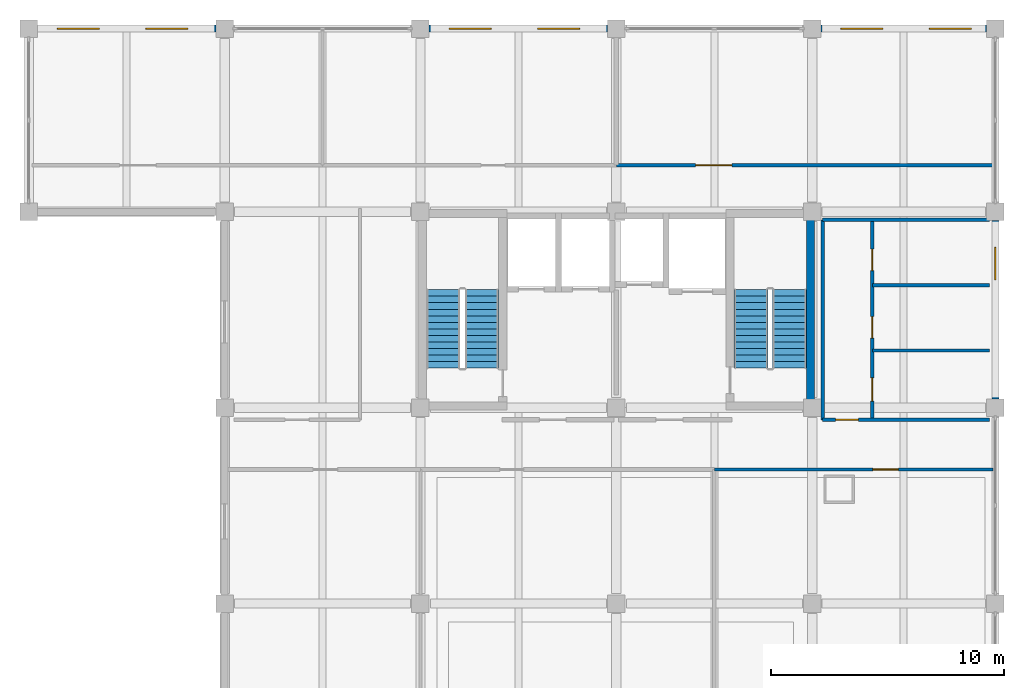
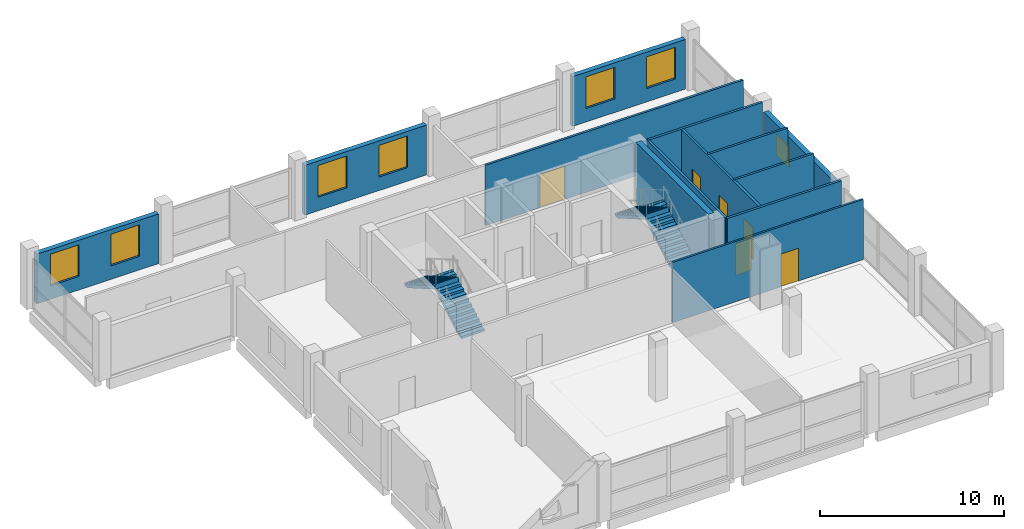
# One storey, part 8 of 9: 13 walls, 7 windows, 6 doors, 4 stair flights, 13 openings, 2 elements without a shape of their own.
"""IFC4 building model written with IfcOpenShell, lengths in metres."""

import ifcopenshell
import ifcopenshell.guid

model = None  # the IFC model being written
_history = None  # IfcOwnerHistory: only IFC2X3 demands one
_inside = {}  # id of a spatial element -> (the spatial element, [elements in it])
_under = {}  # id of a project, library or spatial element -> (it, [spatial elements below it])
_declared = {}  # id of a project -> (the project, [libraries it declares])
_typed = {}  # id of a type object -> (the type object, [elements of that type])
_made_of = {}  # id of a material, layer set ... -> (it, [elements and type objects made of it])


def new_model(schema):
    """Start an empty IFC model of exactly this schema.

    Asked for "IFC4X3", IfcOpenShell would pick the latest addendum, in which some entities
    have other attributes; the version numbers below select the first issue.
    IFC2X3 requires an IfcOwnerHistory on every rooted entity: one is made here for all.
    """
    global model, _history
    if schema == "IFC4X3":
        model = ifcopenshell.file(schema_version=(4, 3, 0, 0))
    else:
        model = ifcopenshell.file(schema=schema)
    _inside.clear()
    _under.clear()
    _declared.clear()
    _typed.clear()
    _made_of.clear()
    _history = None
    if model.schema == "IFC2X3":
        org = make("IfcOrganization", Name="unknown")
        user = make(
            "IfcPersonAndOrganization",
            ThePerson=make("IfcPerson", FamilyName="unknown"),
            TheOrganization=org,
        )
        app = make(
            "IfcApplication",
            ApplicationDeveloper=org,
            Version="unknown",
            ApplicationFullName="unknown",
            ApplicationIdentifier="unknown",
        )
        _history = make(
            "IfcOwnerHistory",
            OwningUser=user,
            OwningApplication=app,
            ChangeAction="ADDED",
            CreationDate=0,
        )
    return model


def make(cls, **values):
    """One entity of the class cls with the attributes given. An attribute that is None is left unset."""
    return model.create_entity(
        cls, **{name: value for name, value in values.items() if value is not None}
    )


def rooted(cls, **values):
    """An entity with a GlobalId (a new one), such as an element, a storey or a relation."""
    return make(cls, GlobalId=ifcopenshell.guid.new(), OwnerHistory=_history, **values)


def si_unit(unit_type, name, prefix=None):
    """IfcSIUnit, for example si_unit("LENGTHUNIT", "METRE", prefix="MILLI")."""
    return make("IfcSIUnit", UnitType=unit_type, Prefix=prefix, Name=name)


def assignment(units):
    """IfcUnitAssignment: the units of a project."""
    return None if units is None else make("IfcUnitAssignment", Units=units)


def point(xyz):
    """IfcCartesianPoint."""
    return None if xyz is None else make("IfcCartesianPoint", Coordinates=xyz)


def direction(xyz):
    """IfcDirection."""
    return None if xyz is None else make("IfcDirection", DirectionRatios=xyz)


def frame(location, z_axis=None, x_axis=None):
    """IfcAxis2Placement3D, a coordinate frame: its origin and axes. An axis left out is left unset."""
    return make(
        "IfcAxis2Placement3D",
        Location=point(location),
        Axis=direction(z_axis),
        RefDirection=direction(x_axis),
    )


def frame_2d(location, x_axis=None):
    """IfcAxis2Placement2D, a coordinate frame in the plane: its origin and x axis."""
    return make(
        "IfcAxis2Placement2D", Location=point(location), RefDirection=direction(x_axis)
    )


def origin():
    """The frame at (0, 0, 0) with its axes left unset."""
    return frame((0.0, 0.0, 0.0))


def place(relative_to, where):
    """IfcLocalPlacement: puts the frame where relative to a parent placement (None: the world)."""
    return make(
        "IfcLocalPlacement", PlacementRelTo=relative_to, RelativePlacement=where
    )


def context(
    kind, dimensions, precision=None, world=None, true_north=None, identifier=None
):
    """IfcGeometricRepresentationContext, for example the 3D "Model" context."""
    return make(
        "IfcGeometricRepresentationContext",
        ContextIdentifier=identifier,
        ContextType=kind,
        CoordinateSpaceDimension=dimensions,
        Precision=precision,
        WorldCoordinateSystem=world,
        TrueNorth=true_north,
    )


def subcontext(parent, identifier, kind, view, scale=None):
    """IfcGeometricRepresentationSubContext, for example "Body" below "Model"."""
    return make(
        "IfcGeometricRepresentationSubContext",
        ContextIdentifier=identifier,
        ContextType=kind,
        ParentContext=parent,
        TargetScale=scale,
        TargetView=view,
    )


def project(units=None, contexts=None):
    """IfcProject with its units and contexts."""
    return rooted(
        "IfcProject",
        Name="project",
        RepresentationContexts=contexts,
        UnitsInContext=assignment(units),
    )


def spatial(cls, under=None, at=None, **own):
    """A site, building, storey or space (cls), placed at a placement, below another one or the project."""
    s = rooted(cls, ObjectPlacement=at, **own)
    if under is not None:
        _under.setdefault(under.id(), (under, []))[1].append(s)
    return s


def polyline(points):
    """IfcPolyline through the points."""
    return make("IfcPolyline", Points=[point(p) for p in points])


def profile(cls, at=None, kind="AREA", **sizes):
    """A parametric profile (cls). Its sizes go by their IFC names, for example OverallWidth=200.0."""
    return make(cls, ProfileType=kind, Position=at, **sizes)


def rectangle(**sizes):
    """IfcRectangleProfileDef."""
    return profile("IfcRectangleProfileDef", **sizes)


def outline(outer, holes=None, kind="AREA"):
    """IfcArbitraryClosedProfileDef: a profile drawn as a closed curve; with holes, ...WithVoids."""
    if holes is None:
        return make("IfcArbitraryClosedProfileDef", ProfileType=kind, OuterCurve=outer)
    return make(
        "IfcArbitraryProfileDefWithVoids",
        ProfileType=kind,
        OuterCurve=outer,
        InnerCurves=holes,
    )


def extrude(swept, where, along, depth):
    """IfcExtrudedAreaSolid: the profile swept, set in the frame where, extruded along a direction by depth."""
    return make(
        "IfcExtrudedAreaSolid",
        SweptArea=swept,
        Position=where,
        ExtrudedDirection=direction(along),
        Depth=depth,
    )


def shape(context_of_items, identifier, shape_type, items):
    """IfcShapeRepresentation: the items that make up one representation, for example the "Body"."""
    return make(
        "IfcShapeRepresentation",
        ContextOfItems=context_of_items,
        RepresentationIdentifier=identifier,
        RepresentationType=shape_type,
        Items=items,
    )


def material(Name=None, Category=None):
    """IfcMaterial."""
    return make("IfcMaterial", Name=Name, Category=Category)


def layer(
    of_material, thickness, ventilated=None, Name=None, Category=None, Priority=None
):
    """IfcMaterialLayer: one layer of a wall or slab, of a material (None: an air gap)."""
    return make(
        "IfcMaterialLayer",
        Material=of_material,
        LayerThickness=thickness,
        IsVentilated=ventilated,
        Name=Name,
        Category=Category,
        Priority=Priority,
    )


def layer_set(layers, Name=None):
    """IfcMaterialLayerSet."""
    return make("IfcMaterialLayerSet", MaterialLayers=layers, LayerSetName=Name)


def made_of(thing, what):
    """Note that an element or type object is made of a material, layer set ...; save() writes the relation."""
    if what is not None:
        _made_of.setdefault(what.id(), (what, []))[1].append(thing)
    return thing


def type_object(cls, material=None, **own):
    """A type object (cls), such as IfcWallType, which elements share."""
    return made_of(rooted(cls, **own), material)


def element(
    cls,
    number,
    at=None,
    inside=None,
    cuts=None,
    type_object=None,
    material=None,
    context=None,
    identifier="Body",
    shape_type=None,
    held_by="IfcProductDefinitionShape",
    body=None,
    shapes=None,
    **own,
):
    """One element of the class cls, such as IfcWall. Its Tag is "e" and its number.

    at: its placement. inside: the storey or other place that contains it. cuts: it is an
    opening in that element (IfcRelVoidsElement). A single representation is given by context,
    identifier, shape_type and body (its items); several are given by shapes. held_by: the class
    of the entity that holds the representations. save() writes the other relations.
    """
    e = rooted(cls, Tag="e%d" % number, ObjectPlacement=at, **own)
    if body is not None:
        shapes = [shape(context, identifier, shape_type, body)]
    if shapes is not None:
        e.Representation = make(held_by, Representations=shapes)
    if inside is not None:
        _inside.setdefault(inside.id(), (inside, []))[1].append(e)
    if cuts is not None:
        rooted(
            "IfcRelVoidsElement", RelatingBuildingElement=cuts, RelatedOpeningElement=e
        )
    if type_object is not None:
        _typed.setdefault(type_object.id(), (type_object, []))[1].append(e)
    return made_of(e, material)


def fill(opening, filler):
    """IfcRelFillsElement: the door or window that sits in an opening."""
    return rooted(
        "IfcRelFillsElement",
        RelatingOpeningElement=opening,
        RelatedBuildingElement=filler,
    )


def aggregate(whole, parts):
    """IfcRelAggregates: a whole, such as a stair, and the parts it consists of."""
    return rooted("IfcRelAggregates", RelatingObject=whole, RelatedObjects=parts)


def save(model, path):
    """Write the relations noted so far, then the file.

    IfcRelAggregates (storeys below a building ...), IfcRelContainedInSpatialStructure (elements
    in a storey), IfcRelDefinesByType, IfcRelAssociatesMaterial and IfcRelDeclares: one each for
    every whole, place, type object, material and project.
    """
    for whole, parts in _under.values():
        aggregate(whole, parts)
    for where, things in _inside.values():
        rooted(
            "IfcRelContainedInSpatialStructure",
            RelatedElements=things,
            RelatingStructure=where,
        )
    for kind, things in _typed.values():
        rooted("IfcRelDefinesByType", RelatedObjects=things, RelatingType=kind)
    for what, things in _made_of.values():
        rooted("IfcRelAssociatesMaterial", RelatedObjects=things, RelatingMaterial=what)
    for by, libraries in _declared.values():
        rooted("IfcRelDeclares", RelatingContext=by, RelatedDefinitions=libraries)
    model.write(path)


model = new_model("IFC4")

# Units and contexts
model_context = context("Model", 3, precision=1e-05, world=origin(), true_north=direction((0.0, 1.0)))
body_context = subcontext(model_context, "Body", "Model", "MODEL_VIEW")
ifc_project = project(units=[si_unit("LENGTHUNIT", "METRE"), si_unit("AREAUNIT", "SQUARE_METRE"), si_unit("VOLUMEUNIT", "CUBIC_METRE"), si_unit("PLANEANGLEUNIT", "RADIAN"), si_unit("MASSUNIT", "GRAM", prefix="KILO")], contexts=[model_context])

# Site, building, storey
site_placement = place(None, origin())
site = spatial("IfcSite", under=ifc_project, at=site_placement, CompositionType="ELEMENT")
building_placement = place(site_placement, origin())
building = spatial("IfcBuilding", under=site, at=building_placement, Name="Brinegate Botanical Conservatory", CompositionType="ELEMENT")
storey_placement = place(building_placement, frame((0.0, 0.0, 40.199951171875)))
storey = spatial("IfcBuildingStorey", under=building, at=storey_placement, Name="L10", CompositionType="ELEMENT", Elevation=40.199951171875)

# Wall, openings, windows
ifc_material_1 = material(Name="Insulated Minnan red clay brick masonry", Category="masonry")
ifc_layer_1 = layer(ifc_material_1, 0.300048828125, Name="Insulated Minnan red clay brick masonry", Category="masonry")
ifc_layer_set_1 = layer_set([ifc_layer_1], Name="Insulated Minnan red clay brick masonry")
wall_type_1 = type_object("IfcWallType", Name="Wall_EW-300B", PredefinedType="STANDARD", material=ifc_layer_set_1)
wall_1_placement = place(storey_placement, frame((122.375, 111.449951171875, 0.0), z_axis=(0.0, 0.0, 1.0), x_axis=(1.0, 0.0, 0.0)))
wall_1 = element("IfcWall", 1, at=wall_1_placement, inside=storey, type_object=wall_type_1, Name="Research lab north brick wall L10.1", PredefinedType="STANDARD", context=body_context, shape_type="SweptSolid", body=[
    extrude(rectangle(XDim=7.64990234375, YDim=0.300048828125, at=frame_2d((3.824951171875, 0.0))), origin(), (0.0, 0.0, 1.0), 3.300048828125),
])
opening_1_placement = place(wall_1_placement, frame((0.85009765625, 0.0, 0.89990234375)))
opening_1 = element("IfcOpeningElement", 2, at=opening_1_placement, cuts=wall_1, Name="Opening WN-01", PredefinedType="OPENING", context=body_context, shape_type="SweptSolid", body=[
    extrude(rectangle(XDim=1.800048828125, YDim=2.10009765625, at=frame_2d((0.89990234375, 1.050048828125))), frame((0.0, 0.159912109375, 0.0), z_axis=(0.0, -1.0, 0.0), x_axis=(1.0, 0.0, 0.0)), (0.0, 0.0, 1.0), 0.320068359375),
])
opening_2_placement = place(wall_1_placement, frame((4.64990234375, 0.0, 0.89990234375)))
opening_2 = element("IfcOpeningElement", 3, at=opening_2_placement, cuts=wall_1, Name="Opening WN-01", PredefinedType="OPENING", context=body_context, shape_type="SweptSolid", body=[
    extrude(rectangle(XDim=1.800048828125, YDim=2.10009765625, at=frame_2d((0.89990234375, 1.050048828125))), frame((0.0, 0.159912109375, 0.0), z_axis=(0.0, -1.0, 0.0), x_axis=(1.0, 0.0, 0.0)), (0.0, 0.0, 1.0), 0.320068359375),
])
ifc_material_2 = material(Name="Thermally broken aluminium-framed Low-E glass", Category="aluminium")
window_type_1 = type_object("IfcWindowType", Name="Win_WN-01", PartitioningType="DOUBLE_PANEL_VERTICAL", PredefinedType="WINDOW", material=ifc_material_2)
window_1_placement = place(opening_1_placement, origin())
window_1 = element("IfcWindow", 4, at=window_1_placement, inside=storey, type_object=window_type_1, Name="Research lab north window L10.1A", OverallHeight=2.10009765625, OverallWidth=1.800048828125, PartitioningType="DOUBLE_PANEL_VERTICAL", PredefinedType="WINDOW", context=body_context, shape_type="SweptSolid", body=[
    extrude(rectangle(XDim=1.800048828125, YDim=2.10009765625, at=frame_2d((0.89990234375, 1.050048828125))), frame((0.0, 0.030029296875, 0.0), z_axis=(0.0, -1.0, 0.0), x_axis=(1.0, 0.0, 0.0)), (0.0, 0.0, 1.0), 0.06005859375),
])
fill(opening_1, window_1)
window_2_placement = place(opening_2_placement, origin())
window_2 = element("IfcWindow", 5, at=window_2_placement, inside=storey, type_object=window_type_1, Name="Research lab north window L10.1B", OverallHeight=2.10009765625, OverallWidth=1.800048828125, PartitioningType="DOUBLE_PANEL_VERTICAL", PredefinedType="WINDOW", context=body_context, shape_type="SweptSolid", body=[
    extrude(rectangle(XDim=1.800048828125, YDim=2.10009765625, at=frame_2d((0.89990234375, 1.050048828125))), frame((0.0, 0.030029296875, 0.0), z_axis=(0.0, -1.0, 0.0), x_axis=(1.0, 0.0, 0.0)), (0.0, 0.0, 1.0), 0.06005859375),
])
fill(opening_2, window_2)

wall_2_placement = place(storey_placement, frame((139.175048828125, 111.449951171875, 0.0), z_axis=(0.0, 0.0, 1.0), x_axis=(1.0, 0.0, 0.0)))
wall_2 = element("IfcWall", 6, at=wall_2_placement, inside=storey, type_object=wall_type_1, Name="Research lab north brick wall L10.3", PredefinedType="STANDARD", context=body_context, shape_type="SweptSolid", body=[
    extrude(rectangle(XDim=7.64990234375, YDim=0.300048828125, at=frame_2d((3.824951171875, 0.0))), origin(), (0.0, 0.0, 1.0), 3.300048828125),
])
opening_3_placement = place(wall_2_placement, frame((0.85009765625, 0.0, 0.89990234375)))
opening_3 = element("IfcOpeningElement", 7, at=opening_3_placement, cuts=wall_2, Name="Opening WN-01", PredefinedType="OPENING", context=body_context, shape_type="SweptSolid", body=[
    extrude(rectangle(XDim=1.800048828125, YDim=2.10009765625, at=frame_2d((0.89990234375, 1.050048828125))), frame((0.0, 0.159912109375, 0.0), z_axis=(0.0, -1.0, 0.0), x_axis=(1.0, 0.0, 0.0)), (0.0, 0.0, 1.0), 0.320068359375),
])
opening_4_placement = place(wall_2_placement, frame((4.64990234375, 0.0, 0.89990234375)))
opening_4 = element("IfcOpeningElement", 8, at=opening_4_placement, cuts=wall_2, Name="Opening WN-01", PredefinedType="OPENING", context=body_context, shape_type="SweptSolid", body=[
    extrude(rectangle(XDim=1.800048828125, YDim=2.10009765625, at=frame_2d((0.89990234375, 1.050048828125))), frame((0.0, 0.159912109375, 0.0), z_axis=(0.0, -1.0, 0.0), x_axis=(1.0, 0.0, 0.0)), (0.0, 0.0, 1.0), 0.320068359375),
])
window_3_placement = place(opening_3_placement, origin())
window_3 = element("IfcWindow", 9, at=window_3_placement, inside=storey, type_object=window_type_1, Name="Research lab north window L10.3A", OverallHeight=2.10009765625, OverallWidth=1.800048828125, PartitioningType="DOUBLE_PANEL_VERTICAL", PredefinedType="WINDOW", context=body_context, shape_type="SweptSolid", body=[
    extrude(rectangle(XDim=1.800048828125, YDim=2.10009765625, at=frame_2d((0.89990234375, 1.050048828125))), frame((0.0, 0.030029296875, 0.0), z_axis=(0.0, -1.0, 0.0), x_axis=(1.0, 0.0, 0.0)), (0.0, 0.0, 1.0), 0.06005859375),
])
fill(opening_3, window_3)
window_4_placement = place(opening_4_placement, origin())
window_4 = element("IfcWindow", 10, at=window_4_placement, inside=storey, type_object=window_type_1, Name="Research lab north window L10.3B", OverallHeight=2.10009765625, OverallWidth=1.800048828125, PartitioningType="DOUBLE_PANEL_VERTICAL", PredefinedType="WINDOW", context=body_context, shape_type="SweptSolid", body=[
    extrude(rectangle(XDim=1.800048828125, YDim=2.10009765625, at=frame_2d((0.89990234375, 1.050048828125))), frame((0.0, 0.030029296875, 0.0), z_axis=(0.0, -1.0, 0.0), x_axis=(1.0, 0.0, 0.0)), (0.0, 0.0, 1.0), 0.06005859375),
])
fill(opening_4, window_4)

wall_3_placement = place(storey_placement, frame((155.97509765625, 111.449951171875, 0.0), z_axis=(0.0, 0.0, 1.0), x_axis=(1.0, 0.0, 0.0)))
wall_3 = element("IfcWall", 11, at=wall_3_placement, inside=storey, type_object=wall_type_1, Name="Research lab north brick wall L10.5", PredefinedType="STANDARD", context=body_context, shape_type="SweptSolid", body=[
    extrude(rectangle(XDim=7.099853515625, YDim=0.300048828125, at=frame_2d((3.5498046875, 0.0))), origin(), (0.0, 0.0, 1.0), 3.300048828125),
])
opening_5_placement = place(wall_3_placement, frame((0.85009765625, 0.0, 0.89990234375)))
opening_5 = element("IfcOpeningElement", 12, at=opening_5_placement, cuts=wall_3, Name="Opening WN-01", PredefinedType="OPENING", context=body_context, shape_type="SweptSolid", body=[
    extrude(rectangle(XDim=1.800048828125, YDim=2.10009765625, at=frame_2d((0.89990234375, 1.050048828125))), frame((0.0, 0.159912109375, 0.0), z_axis=(0.0, -1.0, 0.0), x_axis=(1.0, 0.0, 0.0)), (0.0, 0.0, 1.0), 0.320068359375),
])
opening_6_placement = place(wall_3_placement, frame((4.64990234375, 0.0, 0.89990234375)))
opening_6 = element("IfcOpeningElement", 13, at=opening_6_placement, cuts=wall_3, Name="Opening WN-01", PredefinedType="OPENING", context=body_context, shape_type="SweptSolid", body=[
    extrude(rectangle(XDim=1.800048828125, YDim=2.10009765625, at=frame_2d((0.89990234375, 1.050048828125))), frame((0.0, 0.159912109375, 0.0), z_axis=(0.0, -1.0, 0.0), x_axis=(1.0, 0.0, 0.0)), (0.0, 0.0, 1.0), 0.320068359375),
])
window_5_placement = place(opening_5_placement, origin())
window_5 = element("IfcWindow", 14, at=window_5_placement, inside=storey, type_object=window_type_1, Name="Research lab north window L10.5A", OverallHeight=2.10009765625, OverallWidth=1.800048828125, PartitioningType="DOUBLE_PANEL_VERTICAL", PredefinedType="WINDOW", context=body_context, shape_type="SweptSolid", body=[
    extrude(rectangle(XDim=1.800048828125, YDim=2.10009765625, at=frame_2d((0.89990234375, 1.050048828125))), frame((0.0, 0.030029296875, 0.0), z_axis=(0.0, -1.0, 0.0), x_axis=(1.0, 0.0, 0.0)), (0.0, 0.0, 1.0), 0.06005859375),
])
fill(opening_5, window_5)
window_6_placement = place(opening_6_placement, origin())
window_6 = element("IfcWindow", 15, at=window_6_placement, inside=storey, type_object=window_type_1, Name="Research lab north window L10.5B", OverallHeight=2.10009765625, OverallWidth=1.800048828125, PartitioningType="DOUBLE_PANEL_VERTICAL", PredefinedType="WINDOW", context=body_context, shape_type="SweptSolid", body=[
    extrude(rectangle(XDim=1.800048828125, YDim=2.10009765625, at=frame_2d((0.89990234375, 1.050048828125))), frame((0.0, 0.030029296875, 0.0), z_axis=(0.0, -1.0, 0.0), x_axis=(1.0, 0.0, 0.0)), (0.0, 0.0, 1.0), 0.06005859375),
])
fill(opening_6, window_6)

# Wall, opening, window
wall_4_placement = place(storey_placement, frame((163.449951171875, 103.22509765625, 0.0), z_axis=(0.0, 0.0, 1.0), x_axis=(0.0, -1.0, 0.0)))
wall_4 = element("IfcWall", 16, at=wall_4_placement, inside=storey, type_object=wall_type_1, Name="Tower east brick wall L10.3", PredefinedType="STANDARD", context=body_context, shape_type="SweptSolid", body=[
    extrude(rectangle(XDim=7.650146484375, YDim=0.300048828125, at=frame_2d((3.8251953125, 0.0))), origin(), (0.0, 0.0, 1.0), 3.300048828125),
])
opening_7_placement = place(wall_4_placement, frame((1.14990234375, 0.0, 1.10009765625)))
opening_7 = element("IfcOpeningElement", 17, at=opening_7_placement, cuts=wall_4, Name="Opening WN-16", PredefinedType="OPENING", context=body_context, shape_type="SweptSolid", body=[
    extrude(rectangle(XDim=1.39990234375, YDim=1.39990234375, at=frame_2d((0.699951171875, 0.699951171875))), frame((0.0, 0.159912109375, 0.0), z_axis=(0.0, -1.0, 0.0), x_axis=(1.0, 0.0, 0.0)), (0.0, 0.0, 1.0), 0.320068359375),
])
window_type_2 = type_object("IfcWindowType", Name="Win_WN-16", PartitioningType="SINGLE_PANEL", PredefinedType="WINDOW", material=ifc_material_2)
window_7_placement = place(opening_7_placement, origin())
window_7 = element("IfcWindow", 18, at=window_7_placement, inside=storey, type_object=window_type_2, Name="Tower east window L10.3", OverallHeight=1.39990234375, OverallWidth=1.39990234375, PartitioningType="SINGLE_PANEL", PredefinedType="WINDOW", context=body_context, shape_type="SweptSolid", body=[
    extrude(rectangle(XDim=1.39990234375, YDim=1.39990234375, at=frame_2d((0.699951171875, 0.699951171875))), frame((0.0, 0.030029296875, 0.0), z_axis=(0.0, -1.0, 0.0), x_axis=(1.0, 0.0, 0.0)), (0.0, 0.0, 1.0), 0.06005859375),
])
fill(opening_7, window_7)

# Wall, opening, door
ifc_material_3 = material(Name="Gypsum-clad steel-stud partition", Category="steel")
ifc_layer_2 = layer(ifc_material_3, 0.1201171875, Name="Gypsum-clad steel-stud partition", Category="steel")
ifc_layer_set_2 = layer_set([ifc_layer_2], Name="Gypsum-clad steel-stud partition")
wall_type_2 = type_object("IfcWallType", Name="Wall_PW-120", PredefinedType="PARTITIONING", material=ifc_layer_set_2)
wall_5_placement = place(storey_placement, frame((151.39990234375, 92.550048828125, 0.0), z_axis=(0.0, 0.0, 1.0), x_axis=(1.0, 0.0, 0.0)))
wall_5 = element("IfcWall", 19, at=wall_5_placement, inside=storey, type_object=wall_type_2, Name="Interior partition P-L10-SB-S3", PredefinedType="PARTITIONING", context=body_context, shape_type="SweptSolid", body=[
    extrude(rectangle(XDim=11.9501953125, YDim=0.1201171875, at=frame_2d((5.97509765625, 0.0))), origin(), (0.0, 0.0, 1.0), 4.0),
])
opening_8_placement = place(wall_5_placement, frame((6.800048828125, 0.0, 0.0)))
opening_8 = element("IfcOpeningElement", 20, at=opening_8_placement, cuts=wall_5, Name="Opening DR-16", PredefinedType="OPENING", context=body_context, shape_type="SweptSolid", body=[
    extrude(rectangle(XDim=1.10009765625, YDim=2.179931640625, at=frame_2d((0.550048828125, 1.08984375))), frame((0.0, 0.070068359375, 0.0), z_axis=(0.0, -1.0, 0.0), x_axis=(1.0, 0.0, 0.0)), (0.0, 0.0, 1.0), 0.14013671875),
])
ifc_material_4 = material(Name="Hardwood laboratory timber leaf", Category="wood")
door_type_1 = type_object("IfcDoorType", Name="Door_DR-16", OperationType="NOTDEFINED", PredefinedType="DOOR", material=ifc_material_4)
door_1_placement = place(opening_8_placement, origin())
door_1 = element("IfcDoor", 21, at=door_1_placement, inside=storey, type_object=door_type_1, Name="DR-P-L10-SB-S3-1", OperationType="SINGLE_SWING_RIGHT", OverallHeight=2.179931640625, OverallWidth=1.10009765625, PredefinedType="DOOR", context=body_context, shape_type="SweptSolid", body=[
    extrude(rectangle(XDim=1.10009765625, YDim=2.179931640625, at=frame_2d((0.550048828125, 1.08984375))), frame((0.0, 0.02490234375, 0.0), z_axis=(0.0, -1.0, 0.0), x_axis=(1.0, 0.0, 0.0)), (0.0, 0.0, 1.0), 0.050048828125),
])
fill(opening_8, door_1)

# Walls
ifc_layer_3 = layer(ifc_material_3, 0.135009765625, Name="Gypsum-clad steel-stud partition", Category="steel")
ifc_layer_set_3 = layer_set([ifc_layer_3], Name="Gypsum-clad steel-stud partition")
wall_type_3 = type_object("IfcWallType", Name="Wall_PW-135", PredefinedType="PARTITIONING", material=ifc_layer_set_3)
for number, where, z_axis, x_axis, name in (
    (22, (158.179931640625, 97.64990234375, 0.0), (0.0, 0.0, 1.0), (1.0, 0.0, 0.0), "Interior partition P-L10-WCD-9765"),
    (23, (158.179931640625, 100.449951171875, 0.0), (0.0, 0.0, 1.0), (1.0, 0.0, 0.0), "Interior partition P-L10-WCD-10045"),
):
    element("IfcWall", number, at=place(storey_placement, frame(where, z_axis=z_axis, x_axis=x_axis)), inside=storey, type_object=wall_type_3, Name=name, PredefinedType="PARTITIONING", context=body_context, shape_type="SweptSolid", body=[
        extrude(rectangle(XDim=5.02001953125, YDim=0.135009765625, at=frame_2d((2.510009765625, 0.0))), origin(), (0.0, 0.0, 1.0), 4.0),
    ])

# Wall, opening, door
ifc_material_5 = material(Name="Gypsum-clad acoustic steel-stud partition", Category="steel")
ifc_layer_4 = layer(ifc_material_5, 0.14501953125, Name="Gypsum-clad acoustic steel-stud partition", Category="steel")
ifc_layer_set_4 = layer_set([ifc_layer_4], Name="Gypsum-clad acoustic steel-stud partition")
wall_type_4 = type_object("IfcWallType", Name="Wall_PW-150", PredefinedType="PARTITIONING", material=ifc_layer_set_4)
wall_6_placement = place(storey_placement, frame((147.199951171875, 105.60009765625, 0.0), z_axis=(0.0, 0.0, 1.0), x_axis=(1.0, 0.0, 0.0)))
wall_6 = element("IfcWall", 24, at=wall_6_placement, inside=storey, type_object=wall_type_4, Name="Interior partition P-L10-NB-N3", PredefinedType="PARTITIONING", context=body_context, shape_type="SweptSolid", body=[
    extrude(rectangle(XDim=16.150146484375, YDim=0.14501953125, at=frame_2d((8.0751953125, 0.0))), origin(), (0.0, 0.0, 1.0), 4.0),
])
opening_9_placement = place(wall_6_placement, frame((3.39990234375, 0.0, 0.0)))
opening_9 = element("IfcOpeningElement", 25, at=opening_9_placement, cuts=wall_6, Name="Opening DR-10", PredefinedType="OPENING", context=body_context, shape_type="SweptSolid", body=[
    extrude(rectangle(XDim=1.56005859375, YDim=2.219970703125, at=frame_2d((0.780029296875, 1.10986328125))), frame((0.0, 0.08251953125, 0.0), z_axis=(0.0, -1.0, 0.0), x_axis=(1.0, 0.0, 0.0)), (0.0, 0.0, 1.0), 0.1650390625),
])
ifc_material_6 = material(Name="Powder-coated steel double lab door", Category="steel")
door_type_2 = type_object("IfcDoorType", Name="Door_DR-10", OperationType="NOTDEFINED", PredefinedType="DOOR", material=ifc_material_6)
door_2_placement = place(opening_9_placement, origin())
door_2 = element("IfcDoor", 26, at=door_2_placement, inside=storey, type_object=door_type_2, Name="DR-P-L10-NB-N3-1", OperationType="SINGLE_SWING_LEFT", OverallHeight=2.219970703125, OverallWidth=1.56005859375, PredefinedType="DOOR", context=body_context, shape_type="SweptSolid", body=[
    extrude(rectangle(XDim=1.56005859375, YDim=2.219970703125, at=frame_2d((0.780029296875, 1.10986328125))), frame((0.0, 0.02490234375, 0.0), z_axis=(0.0, -1.0, 0.0), x_axis=(1.0, 0.0, 0.0)), (0.0, 0.0, 1.0), 0.050048828125),
])
fill(opening_9, door_2)

ifc_material_7 = material(Name="Moisture-resistant cement-board partition", Category="gypsum")
ifc_layer_5 = layer(ifc_material_7, 0.14990234375, Name="Moisture-resistant cement-board partition", Category="gypsum")
ifc_layer_set_5 = layer_set([ifc_layer_5], Name="Moisture-resistant cement-board partition")
wall_type_5 = type_object("IfcWallType", Name="Wall_PW-150W", PredefinedType="PARTITIONING", material=ifc_layer_set_5)
wall_7_placement = place(storey_placement, frame((156.050048828125, 94.679931640625, 0.0), z_axis=(0.0, 0.0, 1.0), x_axis=(1.0, 0.0, 0.0)))
wall_7 = element("IfcWall", 27, at=wall_7_placement, inside=storey, type_object=wall_type_5, Name="Interior partition P-L10-WCS", PredefinedType="PARTITIONING", context=body_context, shape_type="SweptSolid", body=[
    extrude(rectangle(XDim=7.14990234375, YDim=0.14990234375, at=frame_2d((3.574951171875, 0.0))), origin(), (0.0, 0.0, 1.0), 4.0),
])
opening_10_placement = place(wall_7_placement, frame((0.550048828125, 0.0, 0.0)))
opening_10 = element("IfcOpeningElement", 28, at=opening_10_placement, cuts=wall_7, Name="Opening DR-03", PredefinedType="OPENING", context=body_context, shape_type="SweptSolid", body=[
    extrude(rectangle(XDim=0.97998046875, YDim=2.1201171875, at=frame_2d((0.489990234375, 1.06005859375))), frame((0.0, 0.0849609375, 0.0), z_axis=(0.0, -1.0, 0.0), x_axis=(1.0, 0.0, 0.0)), (0.0, 0.0, 1.0), 0.169921875),
])
ifc_material_8 = material(Name="Steel-core hardwood smoke-sealed fire door", Category="steel")
door_type_3 = type_object("IfcDoorType", Name="Door_DR-03", OperationType="NOTDEFINED", PredefinedType="DOOR", material=ifc_material_8)
door_3_placement = place(opening_10_placement, origin())
door_3 = element("IfcDoor", 29, at=door_3_placement, inside=storey, type_object=door_type_3, Name="DR-P-L10-WCS-1", OperationType="SINGLE_SWING_LEFT", OverallHeight=2.1201171875, OverallWidth=0.97998046875, PredefinedType="DOOR", context=body_context, shape_type="SweptSolid", body=[
    extrude(rectangle(XDim=0.97998046875, YDim=2.1201171875, at=frame_2d((0.489990234375, 1.06005859375))), frame((0.0, 0.02490234375, 0.0), z_axis=(0.0, -1.0, 0.0), x_axis=(1.0, 0.0, 0.0)), (0.0, 0.0, 1.0), 0.050048828125),
])
fill(opening_10, door_3)

# Wall, openings, doors
wall_8_placement = place(storey_placement, frame((158.179931640625, 94.679931640625, 0.0), z_axis=(0.0, 0.0, 1.0), x_axis=(0.0, 1.0, 0.0)))
wall_8 = element("IfcWall", 30, at=wall_8_placement, inside=storey, type_object=wall_type_5, Name="Interior partition P-L10-WCW", PredefinedType="PARTITIONING", context=body_context, shape_type="SweptSolid", body=[
    extrude(rectangle(XDim=8.570068359375, YDim=0.14990234375, at=frame_2d((4.28515625, 0.0))), origin(), (0.0, 0.0, 1.0), 4.0),
])
opening_11_placement = place(wall_8_placement, frame((0.800048828125, 0.0, 0.0)))
opening_11 = element("IfcOpeningElement", 31, at=opening_11_placement, cuts=wall_8, Name="Opening DR-ACC", PredefinedType="OPENING", context=body_context, shape_type="SweptSolid", body=[
    extrude(rectangle(XDim=1.0, YDim=2.1201171875, at=frame_2d((0.5, 1.06005859375))), frame((0.0, 0.0849609375, 0.0), z_axis=(0.0, -1.0, 0.0), x_axis=(1.0, 0.0, 0.0)), (0.0, 0.0, 1.0), 0.169921875),
])
opening_12_placement = place(wall_8_placement, frame((3.5, 0.0, 0.0)))
opening_12 = element("IfcOpeningElement", 32, at=opening_12_placement, cuts=wall_8, Name="Opening DR-04", PredefinedType="OPENING", context=body_context, shape_type="SweptSolid", body=[
    extrude(rectangle(XDim=0.919921875, YDim=2.10009765625, at=frame_2d((0.4599609375, 1.050048828125))), frame((0.0, 0.0849609375, 0.0), z_axis=(0.0, -1.0, 0.0), x_axis=(1.0, 0.0, 0.0)), (0.0, 0.0, 1.0), 0.169921875),
])
opening_13_placement = place(wall_8_placement, frame((6.39990234375, 0.0, 0.0)))
opening_13 = element("IfcOpeningElement", 33, at=opening_13_placement, cuts=wall_8, Name="Opening DR-04", PredefinedType="OPENING", context=body_context, shape_type="SweptSolid", body=[
    extrude(rectangle(XDim=0.919921875, YDim=2.10009765625, at=frame_2d((0.4599609375, 1.050048828125))), frame((0.0, 0.0849609375, 0.0), z_axis=(0.0, -1.0, 0.0), x_axis=(1.0, 0.0, 0.0)), (0.0, 0.0, 1.0), 0.169921875),
])
ifc_material_9 = material(Name="Moisture-resistant laminate timber leaf", Category="wood")
door_type_4 = type_object("IfcDoorType", Name="Door_DR-04", OperationType="NOTDEFINED", PredefinedType="DOOR", material=ifc_material_9)
door_4_placement = place(opening_12_placement, origin())
door_4 = element("IfcDoor", 34, at=door_4_placement, inside=storey, type_object=door_type_4, Name="DR-P-L10-WCW-2", OperationType="SINGLE_SWING_RIGHT", OverallHeight=2.10009765625, OverallWidth=0.919921875, PredefinedType="DOOR", context=body_context, shape_type="SweptSolid", body=[
    extrude(rectangle(XDim=0.919921875, YDim=2.10009765625, at=frame_2d((0.4599609375, 1.050048828125))), frame((0.0, 0.02490234375, 0.0), z_axis=(0.0, -1.0, 0.0), x_axis=(1.0, 0.0, 0.0)), (0.0, 0.0, 1.0), 0.050048828125),
])
fill(opening_12, door_4)
door_5_placement = place(opening_13_placement, origin())
door_5 = element("IfcDoor", 35, at=door_5_placement, inside=storey, type_object=door_type_4, Name="DR-P-L10-WCW-3", OperationType="SINGLE_SWING_LEFT", OverallHeight=2.10009765625, OverallWidth=0.919921875, PredefinedType="DOOR", context=body_context, shape_type="SweptSolid", body=[
    extrude(rectangle(XDim=0.919921875, YDim=2.10009765625, at=frame_2d((0.4599609375, 1.050048828125))), frame((0.0, 0.02490234375, 0.0), z_axis=(0.0, -1.0, 0.0), x_axis=(1.0, 0.0, 0.0)), (0.0, 0.0, 1.0), 0.050048828125),
])
fill(opening_13, door_5)
ifc_material_10 = material(Name="Moisture-resistant barrier-free timber leaf", Category="wood")
door_type_5 = type_object("IfcDoorType", Name="Door_DR-ACC", OperationType="NOTDEFINED", PredefinedType="DOOR", material=ifc_material_10)
door_6_placement = place(opening_11_placement, origin())
door_6 = element("IfcDoor", 36, at=door_6_placement, inside=storey, type_object=door_type_5, Name="DR-P-L10-WCW-1", OperationType="SINGLE_SWING_LEFT", OverallHeight=2.1201171875, OverallWidth=1.0, PredefinedType="DOOR", context=body_context, shape_type="SweptSolid", body=[
    extrude(rectangle(XDim=1.0, YDim=2.1201171875, at=frame_2d((0.5, 1.06005859375))), frame((0.0, 0.02490234375, 0.0), z_axis=(0.0, -1.0, 0.0), x_axis=(1.0, 0.0, 0.0)), (0.0, 0.0, 1.0), 0.050048828125),
])
fill(opening_11, door_6)

# Walls
wall_9_placement = place(storey_placement, frame((156.050048828125, 103.25, 0.0), z_axis=(0.0, 0.0, 1.0), x_axis=(1.0, 0.0, 0.0)))
element("IfcWall", 37, at=wall_9_placement, inside=storey, type_object=wall_type_5, Name="Interior partition P-L10-WCN", PredefinedType="PARTITIONING", context=body_context, shape_type="SweptSolid", body=[
    extrude(rectangle(XDim=7.14990234375, YDim=0.14990234375, at=frame_2d((3.574951171875, 0.0))), origin(), (0.0, 0.0, 1.0), 4.0),
])
wall_10_placement = place(storey_placement, frame((156.050048828125, 94.679931640625, 0.0), z_axis=(0.0, 0.0, 1.0), x_axis=(0.0, 1.0, 0.0)))
element("IfcWall", 38, at=wall_10_placement, inside=storey, type_object=wall_type_5, Name="Interior partition P-L10-WCWW", PredefinedType="PARTITIONING", context=body_context, shape_type="SweptSolid", body=[
    extrude(rectangle(XDim=8.570068359375, YDim=0.14990234375, at=frame_2d((4.28515625, 0.0))), origin(), (0.0, 0.0, 1.0), 4.0),
])
ifc_material_11 = material(Name="Concrete C40/50", Category="concrete")
ifc_layer_6 = layer(ifc_material_11, 0.35009765625, Name="Concrete C40/50", Category="concrete")
ifc_layer_set_6 = layer_set([ifc_layer_6], Name="Concrete C40/50")
wall_type_6 = type_object("IfcWallType", Name="Wall_SW-350", PredefinedType="SHEAR", material=ifc_layer_set_6)
wall_11_placement = place(storey_placement, frame((155.52490234375, 95.449951171875, 0.0), z_axis=(0.0, 0.0, 1.0), x_axis=(0.0, 1.0, 0.0)))
element("IfcWall", 39, at=wall_11_placement, inside=storey, type_object=wall_type_6, Name="Stairwell ST2 shear wall L10 E", PredefinedType="SHEAR", context=body_context, shape_type="SweptSolid", body=[
    extrude(rectangle(XDim=7.900146484375, YDim=0.35009765625, at=frame_2d((3.9501953125, 0.0))), origin(), (0.0, 0.0, 1.0), 4.0),
])

# Stair, stair flights
stair_type = type_object("IfcStairType", Name="Stair_HT-4200", PredefinedType="HALF_TURN_STAIR", material=ifc_material_11)
stair_1_placement = place(storey_placement, origin())
stair_1 = element("IfcStair", 40, at=stair_1_placement, inside=storey, type_object=stair_type, Name="L10 Tower West Smoke-Proof Stair ST1", PredefinedType="HALF_TURN_STAIR")
stair_flight_type = type_object("IfcStairFlightType", Name="Flight_SF-4200", PredefinedType="STRAIGHT", material=ifc_material_11)
stair_flight_1_placement = place(storey_placement, frame((141.425048828125, 96.89990234375, 0.0), z_axis=(0.0, 0.0, 1.0), x_axis=(0.0, 1.0, 0.0)))
stair_flight_1 = element("IfcStairFlight", 41, at=stair_flight_1_placement, type_object=stair_flight_type, Name="ST1 flight 1", NumberOfRisers=13, NumberOfTreads=12, PredefinedType="STRAIGHT", RiserHeight=0.161538462, TreadLength=0.28, context=body_context, shape_type="SweptSolid", body=[
    extrude(outline(polyline([(-0.00048828125, 0.0), (-0.00048828125, 0.16162109375), (0.280029296875, 0.16162109375), (0.280029296875, 0.322998046875), (0.56005859375, 0.322998046875), (0.56005859375, 0.484619140625), (0.840087890625, 0.484619140625), (0.840087890625, 0.646240234375), (1.1201171875, 0.646240234375), (1.1201171875, 0.8076171875), (1.39990234375, 0.8076171875), (1.39990234375, 0.96923828125), (1.679931640625, 0.96923828125), (1.679931640625, 1.130859375), (1.9599609375, 1.130859375), (1.9599609375, 1.292236328125), (2.239990234375, 1.292236328125), (2.239990234375, 1.453857421875), (2.52001953125, 1.453857421875), (2.52001953125, 1.615478515625), (2.800048828125, 1.615478515625), (2.800048828125, 1.77685546875), (3.080078125, 1.77685546875), (3.080078125, 1.9384765625), (3.360107421875, 1.9384765625), (3.360107421875, 2.10009765625), (3.360595703125, 2.10009765625), (3.360595703125, 1.765380859375), (0.300048828125, 0.0), (-0.00048828125, 0.0)])), frame((0.0, 0.72509765625, 0.0), z_axis=(0.0, -1.0, 0.0), x_axis=(1.0, 0.0, 0.0)), (0.0, 0.0, 1.0), 1.449951171875),
])
stair_flight_2_placement = place(storey_placement, frame((139.77490234375, 100.260009765625, 2.10009765625), z_axis=(0.0, 0.0, 1.0), x_axis=(0.0, -1.0, 0.0)))
stair_flight_2 = element("IfcStairFlight", 42, at=stair_flight_2_placement, type_object=stair_flight_type, Name="ST1 flight 2", NumberOfRisers=13, NumberOfTreads=12, PredefinedType="STRAIGHT", RiserHeight=0.161538462, TreadLength=0.28, context=body_context, shape_type="SweptSolid", body=[
    extrude(outline(polyline([(-0.00048828125, 0.0), (-0.00048828125, 0.16162109375), (0.280029296875, 0.16162109375), (0.280029296875, 0.322998046875), (0.56005859375, 0.322998046875), (0.56005859375, 0.484619140625), (0.840087890625, 0.484619140625), (0.840087890625, 0.646240234375), (1.1201171875, 0.646240234375), (1.1201171875, 0.8076171875), (1.39990234375, 0.8076171875), (1.39990234375, 0.96923828125), (1.679931640625, 0.96923828125), (1.679931640625, 1.130859375), (1.9599609375, 1.130859375), (1.9599609375, 1.292236328125), (2.239990234375, 1.292236328125), (2.239990234375, 1.453857421875), (2.52001953125, 1.453857421875), (2.52001953125, 1.615478515625), (2.800048828125, 1.615478515625), (2.800048828125, 1.77685546875), (3.080078125, 1.77685546875), (3.080078125, 1.9384765625), (3.360107421875, 1.9384765625), (3.360107421875, 2.10009765625), (3.360595703125, 2.10009765625), (3.360595703125, 1.765380859375), (0.300048828125, 0.0), (-0.00048828125, 0.0)])), frame((0.0, 0.72509765625, 0.0), z_axis=(0.0, -1.0, 0.0), x_axis=(1.0, 0.0, 0.0)), (0.0, 0.0, 1.0), 1.449951171875),
])
aggregate(stair_1, [stair_flight_1, stair_flight_2])

stair_2_placement = place(storey_placement, origin())
stair_2 = element("IfcStair", 43, at=stair_2_placement, inside=storey, type_object=stair_type, Name="L10 Tower East Smoke-Proof Stair ST2", PredefinedType="HALF_TURN_STAIR")
stair_flight_3_placement = place(storey_placement, frame((154.625, 96.89990234375, 0.0), z_axis=(0.0, 0.0, 1.0), x_axis=(0.0, 1.0, 0.0)))
stair_flight_3 = element("IfcStairFlight", 44, at=stair_flight_3_placement, type_object=stair_flight_type, Name="ST2 flight 1", NumberOfRisers=13, NumberOfTreads=12, PredefinedType="STRAIGHT", RiserHeight=0.161538462, TreadLength=0.28, context=body_context, shape_type="SweptSolid", body=[
    extrude(outline(polyline([(-0.00048828125, 0.0), (-0.00048828125, 0.16162109375), (0.280029296875, 0.16162109375), (0.280029296875, 0.322998046875), (0.56005859375, 0.322998046875), (0.56005859375, 0.484619140625), (0.840087890625, 0.484619140625), (0.840087890625, 0.646240234375), (1.1201171875, 0.646240234375), (1.1201171875, 0.8076171875), (1.39990234375, 0.8076171875), (1.39990234375, 0.96923828125), (1.679931640625, 0.96923828125), (1.679931640625, 1.130859375), (1.9599609375, 1.130859375), (1.9599609375, 1.292236328125), (2.239990234375, 1.292236328125), (2.239990234375, 1.453857421875), (2.52001953125, 1.453857421875), (2.52001953125, 1.615478515625), (2.800048828125, 1.615478515625), (2.800048828125, 1.77685546875), (3.080078125, 1.77685546875), (3.080078125, 1.9384765625), (3.360107421875, 1.9384765625), (3.360107421875, 2.10009765625), (3.360595703125, 2.10009765625), (3.360595703125, 1.765380859375), (0.300048828125, 0.0), (-0.00048828125, 0.0)])), frame((0.0, 0.72509765625, 0.0), z_axis=(0.0, -1.0, 0.0), x_axis=(1.0, 0.0, 0.0)), (0.0, 0.0, 1.0), 1.449951171875),
])
stair_flight_4_placement = place(storey_placement, frame((152.97509765625, 100.260009765625, 2.10009765625), z_axis=(0.0, 0.0, 1.0), x_axis=(0.0, -1.0, 0.0)))
stair_flight_4 = element("IfcStairFlight", 45, at=stair_flight_4_placement, type_object=stair_flight_type, Name="ST2 flight 2", NumberOfRisers=13, NumberOfTreads=12, PredefinedType="STRAIGHT", RiserHeight=0.161538462, TreadLength=0.28, context=body_context, shape_type="SweptSolid", body=[
    extrude(outline(polyline([(-0.00048828125, 0.0), (-0.00048828125, 0.16162109375), (0.280029296875, 0.16162109375), (0.280029296875, 0.322998046875), (0.56005859375, 0.322998046875), (0.56005859375, 0.484619140625), (0.840087890625, 0.484619140625), (0.840087890625, 0.646240234375), (1.1201171875, 0.646240234375), (1.1201171875, 0.8076171875), (1.39990234375, 0.8076171875), (1.39990234375, 0.96923828125), (1.679931640625, 0.96923828125), (1.679931640625, 1.130859375), (1.9599609375, 1.130859375), (1.9599609375, 1.292236328125), (2.239990234375, 1.292236328125), (2.239990234375, 1.453857421875), (2.52001953125, 1.453857421875), (2.52001953125, 1.615478515625), (2.800048828125, 1.615478515625), (2.800048828125, 1.77685546875), (3.080078125, 1.77685546875), (3.080078125, 1.9384765625), (3.360107421875, 1.9384765625), (3.360107421875, 2.10009765625), (3.360595703125, 2.10009765625), (3.360595703125, 1.765380859375), (0.300048828125, 0.0), (-0.00048828125, 0.0)])), frame((0.0, 0.72509765625, 0.0), z_axis=(0.0, -1.0, 0.0), x_axis=(1.0, 0.0, 0.0)), (0.0, 0.0, 1.0), 1.449951171875),
])
aggregate(stair_2, [stair_flight_3, stair_flight_4])

save(model, "model.ifc")
